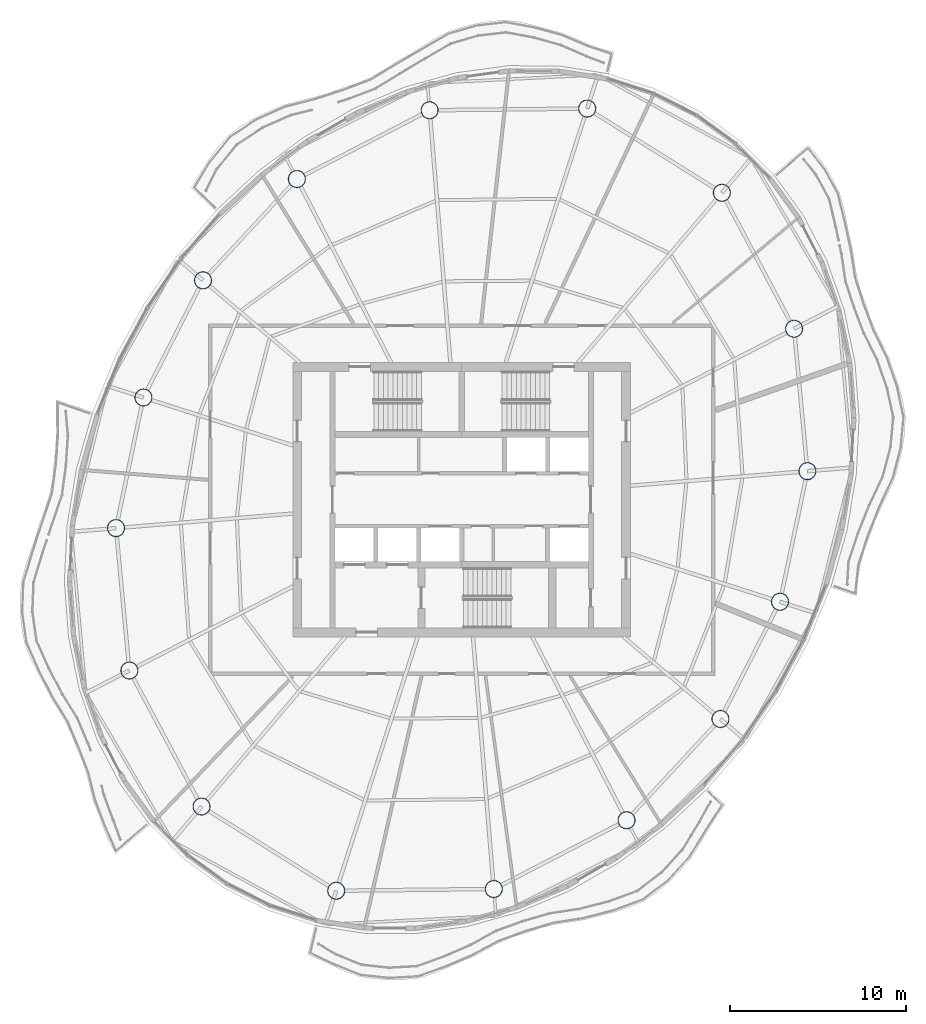
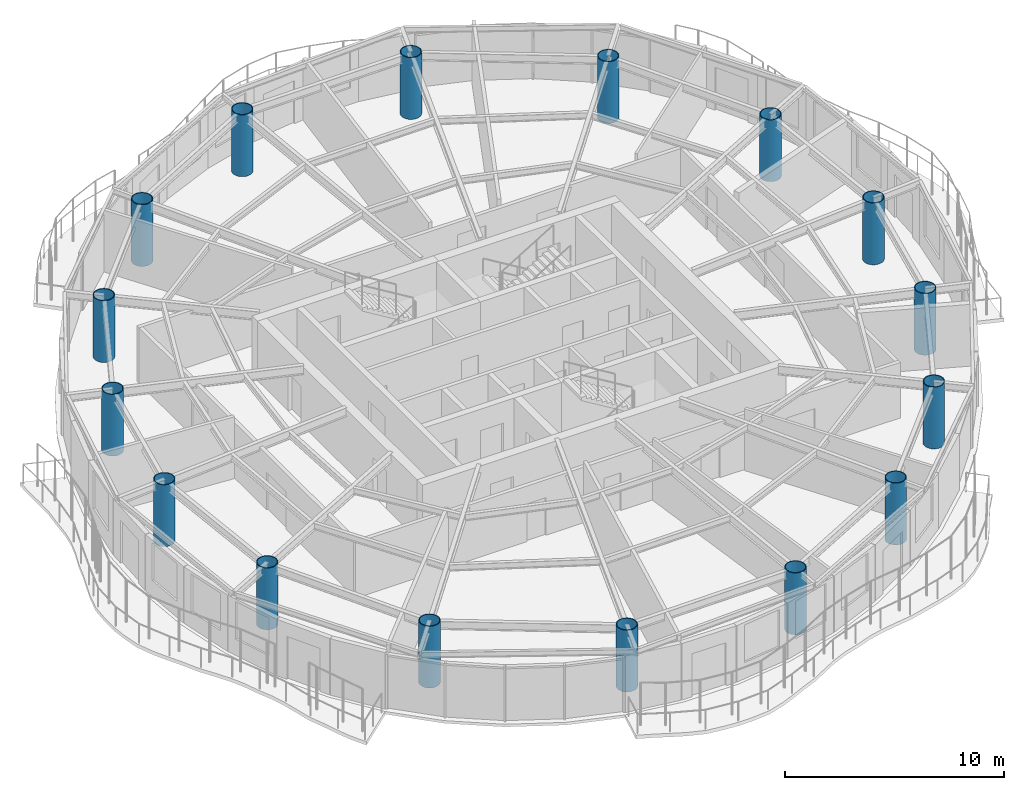
# One storey, part 1 of 14: 16 columns.
"""IFC4 building model written with IfcOpenShell, lengths in metres."""

from ifc_helpers import new_model, si_unit, direction, frame, origin, origin_2d, place, context, subcontext, project, spatial, hollow_circle, extrude, material, material_profile, profile_set, type_object, element, save


model = new_model("IFC4")

# Units and contexts
model_context = context("Model", 3, precision=1e-05, world=origin(), true_north=direction((0.0, 1.0)))
body_context = subcontext(model_context, "Body", "Model", "MODEL_VIEW")
ifc_project = project(units=[si_unit("LENGTHUNIT", "METRE"), si_unit("AREAUNIT", "SQUARE_METRE"), si_unit("VOLUMEUNIT", "CUBIC_METRE"), si_unit("PLANEANGLEUNIT", "RADIAN"), si_unit("MASSUNIT", "GRAM", prefix="KILO")], contexts=[model_context])

# Site, building, storey
site_placement = place(None, origin())
site = spatial("IfcSite", under=ifc_project, at=site_placement, CompositionType="ELEMENT")
building_placement = place(site_placement, origin())
building = spatial("IfcBuilding", under=site, at=building_placement, Name="Vermilion Reach Broadcast Tower", CompositionType="ELEMENT")
storey_placement = place(building_placement, frame((0.0, 0.0, 268.5)))
storey = spatial("IfcBuildingStorey", under=building, at=storey_placement, Name="L66", CompositionType="ELEMENT", Elevation=268.5)

# Columns
ifc_material = material(Name="Concrete C60 infill in steel S460NL tube", Category="concrete")
ifc_material_profile = material_profile(ifc_material, hollow_circle(Radius=0.5, WallThickness=0.0400390625, at=origin_2d()), Name="Concrete C60 infill in steel S460NL tube CFT 1000x40")
ifc_profile_set = profile_set([ifc_material_profile], Name="Concrete C60 infill in steel S460NL tube")
column_type = type_object("IfcColumnType", Name="MC5 CFT 1000x40", PredefinedType="COLUMN", material=ifc_profile_set)
for number, where, z_axis, x_axis, name in (
    (1, (1.138427734375, 22.2470703125, 0.0), (0.0, 0.0, 1.0), (1.0, 0.0, 0.0), "Mega-column MC5-01"),
    (2, (-7.824951171875, 22.1494140625, 0.0), (0.0, 0.0, 1.0), (1.0, 0.0, 0.0), "Mega-column MC5-02"),
    (3, (-15.376953125, 18.23779296875, 0.0), (0.0, 0.0, 1.0), (1.0, 0.0, 0.0), "Mega-column MC5-03"),
    (4, (-20.717529296875, 12.476806640625, 0.0), (0.0, 0.0, 1.0), (1.0, 0.0, 0.0), "Mega-column MC5-04"),
    (5, (-24.10595703125, 5.809814453125, 0.0), (0.0, 0.0, 1.0), (1.0, 0.0, 0.0), "Mega-column MC5-05"),
    (6, (-25.665771484375, -1.620361328125, 0.0), (0.0, 0.0, 1.0), (1.0, 0.0, 0.0), "Mega-column MC5-06"),
    (7, (-24.905517578125, -9.72021484375, 0.0), (0.0, 0.0, 1.0), (1.0, 0.0, 0.0), "Mega-column MC5-07"),
    (8, (-20.799560546875, -17.457275390625, 0.0), (0.0, 0.0, 1.0), (1.0, 0.0, 0.0), "Mega-column MC5-08"),
    (9, (-13.138427734375, -22.2470703125, 0.0), (0.0, 0.0, 1.0), (1.0, 0.0, 0.0), "Mega-column MC5-09"),
    (10, (-4.175048828125, -22.1494140625, 0.0), (0.0, 0.0, 1.0), (1.0, 0.0, 0.0), "Mega-column MC5-10"),
    (11, (3.376953125, -18.23779296875, 0.0), (0.0, 0.0, 1.0), (1.0, 0.0, 0.0), "Mega-column MC5-11"),
    (12, (8.717529296875, -12.476806640625, 0.0), (0.0, 0.0, 1.0), (1.0, 0.0, 0.0), "Mega-column MC5-12"),
    (13, (12.10595703125, -5.809814453125, 0.0), (0.0, 0.0, 1.0), (1.0, 0.0, 0.0), "Mega-column MC5-13"),
    (14, (13.665771484375, 1.620361328125, 0.0), (0.0, 0.0, 1.0), (1.0, 0.0, 0.0), "Mega-column MC5-14"),
    (15, (12.905517578125, 9.72021484375, 0.0), (0.0, 0.0, 1.0), (1.0, 0.0, 0.0), "Mega-column MC5-15"),
    (16, (8.799560546875, 17.457275390625, 0.0), (0.0, 0.0, 1.0), (1.0, 0.0, 0.0), "Mega-column MC5-16"),
):
    element("IfcColumn", number, at=place(storey_placement, frame(where, z_axis=z_axis, x_axis=x_axis)), inside=storey, type_object=column_type, Name=name, PredefinedType="COLUMN", context=body_context, shape_type="SweptSolid", body=[
        extrude(hollow_circle(Radius=0.5, WallThickness=0.0400390625, at=origin_2d()), origin(), (0.0, 0.0, 1.0), 3.449951171875),
    ])

save(model, "model.ifc")
